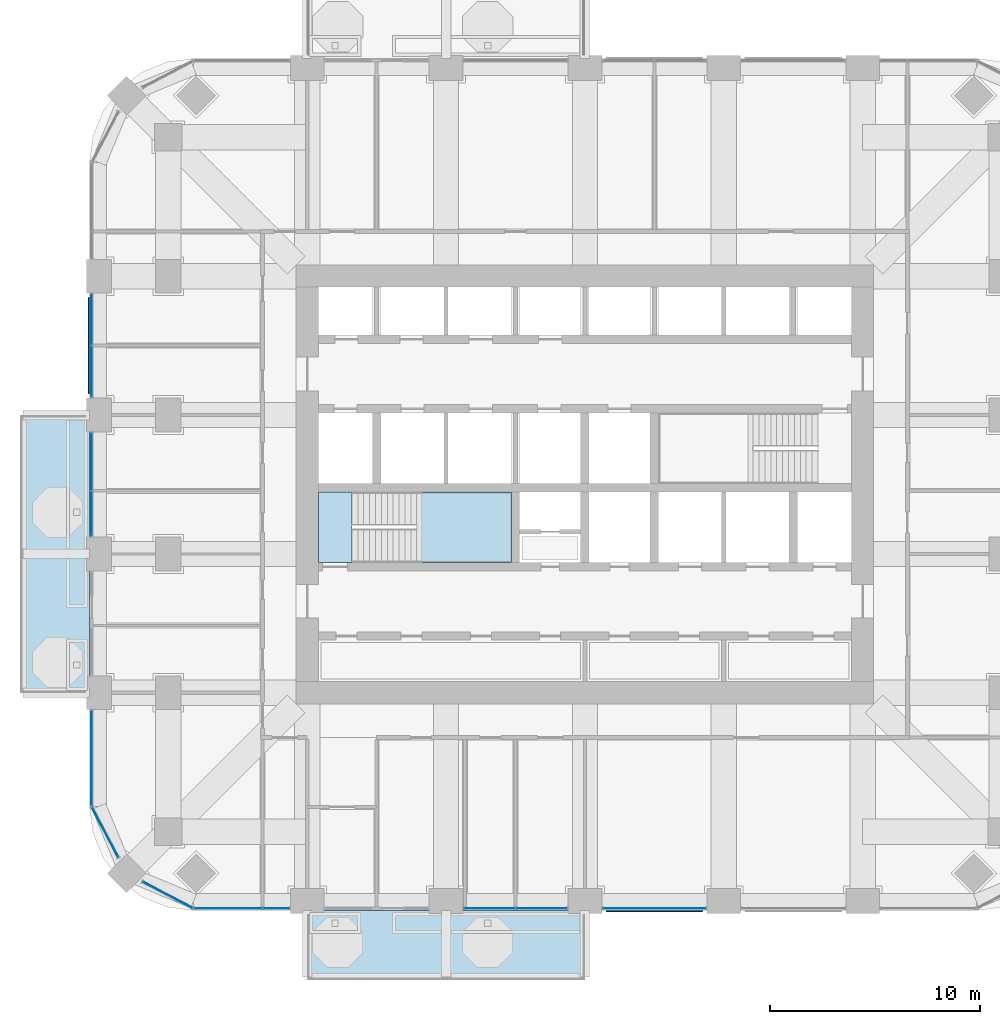
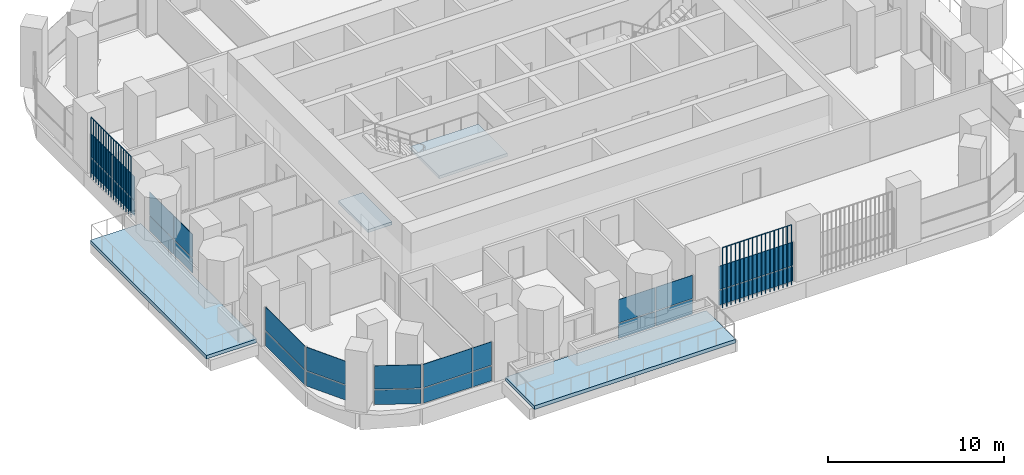
# One storey, part 8 of 19: 26 plates, 4 slabs, 9 elements without a shape of their own.
"""IFC4 building model written with IfcOpenShell, lengths in metres."""

from ifc_helpers import new_model, si_unit, direction, frame, origin, origin_2d, place, context, subcontext, project, spatial, polyline, rectangle, outline, extrude, material, layer, layer_set, type_object, element, aggregate, save


model = new_model("IFC4")

# Units and contexts
model_context = context("Model", 3, precision=1e-05, world=origin(), true_north=direction((0.0, 1.0)))
body_context = subcontext(model_context, "Body", "Model", "MODEL_VIEW")
ifc_project = project(units=[si_unit("LENGTHUNIT", "METRE"), si_unit("AREAUNIT", "SQUARE_METRE"), si_unit("VOLUMEUNIT", "CUBIC_METRE"), si_unit("PLANEANGLEUNIT", "RADIAN"), si_unit("MASSUNIT", "GRAM", prefix="KILO")], contexts=[model_context])

# Site, building, storey
site_placement = place(None, origin())
site = spatial("IfcSite", under=ifc_project, at=site_placement, CompositionType="ELEMENT")
building_placement = place(site_placement, origin())
building = spatial("IfcBuilding", under=site, at=building_placement, Name="Cobogo Forest Laboratory Tower", CompositionType="ELEMENT")
storey_placement = place(building_placement, frame((0.0, 0.0, 159.89990234375)))
storey = spatial("IfcBuildingStorey", under=building, at=storey_placement, Name="L36", CompositionType="ELEMENT", Elevation=159.89990234375)

# Slabs
ifc_material_1 = material(Name="Concrete HA-40 (C40/50)", Category="concrete")
ifc_layer_1 = layer(ifc_material_1, 0.25)
ifc_layer_set_1 = layer_set([ifc_layer_1], Name="Balcony slab 250")
slab_type_1 = type_object("IfcSlabType", Name="Balcony slab 250", PredefinedType="FLOOR", material=ifc_layer_set_1)
slab_1_placement = place(storey_placement, frame((0.0, 0.0, -0.25)))
element("IfcSlab", 1, at=slab_1_placement, inside=storey, type_object=slab_type_1, Name="Balcony BAL-S1 L36", PredefinedType="FLOOR", context=body_context, shape_type="SweptSolid", body=[
    extrude(outline(polyline([(13.199951171875, -0.449951171875), (26.39990234375, -0.449951171875), (26.39990234375, 2.85009765625), (13.199951171875, 2.85009765625), (13.199951171875, -0.449951171875)])), origin(), (0.0, 0.0, 1.0), 0.25),
])
slab_2_placement = place(storey_placement, frame((0.0, 0.0, -0.25)))
element("IfcSlab", 2, at=slab_2_placement, inside=storey, type_object=slab_type_1, Name="Balcony BAL-W1 L36", PredefinedType="FLOOR", context=body_context, shape_type="SweptSolid", body=[
    extrude(outline(polyline([(-0.449951171875, 13.199951171875), (2.85009765625, 13.199951171875), (2.85009765625, 26.39990234375), (-0.449951171875, 26.39990234375), (-0.449951171875, 13.199951171875)])), origin(), (0.0, 0.0, 1.0), 0.25),
])

# Curtain wall, plates
ifc_material_2 = material(Name="Aluminium curtain wall", Category="aluminium")
curtain_wall_type = type_object("IfcCurtainWallType", Name="CW-2 unitised curtain wall, solar control glazing, laboratory floors zones C and D", PredefinedType="USERDEFINED", material=ifc_material_2)
curtain_wall_1_placement = place(storey_placement, origin())
curtain_wall_1 = element("IfcCurtainWall", 3, at=curtain_wall_1_placement, inside=storey, type_object=curtain_wall_type, Name="Curtain wall 01 L36", ObjectType="UNITISED CURTAIN WALL", PredefinedType="USERDEFINED")
ifc_material_3 = material(Name="Solar control insulated glass", Category="glass")
ifc_layer_2 = layer(ifc_material_3, 0.031982421875)
ifc_layer_set_2 = layer_set([ifc_layer_2], Name="GP-2 solar control glass unit 32")
plate_type_1 = type_object("IfcPlateType", Name="GP-2 solar control glass unit 32", PredefinedType="CURTAIN_PANEL", material=ifc_layer_set_2)
plate_1_placement = place(storey_placement, frame((9.452392578125, 2.949951171875, 0.0), z_axis=(0.0, 0.0, 1.0), x_axis=(1.0, 0.0, 0.0)))
plate_1 = element("IfcPlate", 4, at=plate_1_placement, type_object=plate_type_1, Name="CW-2 panel 1.1", PredefinedType="CURTAIN_PANEL", context=body_context, shape_type="SweptSolid", body=[
    extrude(rectangle(XDim=3.18505859375, YDim=0.031982421875, at=origin_2d()), origin(), (0.0, 0.0, 1.0), 1.02001953125),
])
plate_2_placement = place(storey_placement, frame((9.452392578125, 2.949951171875, 1.080078125), z_axis=(0.0, 0.0, 1.0), x_axis=(1.0, 0.0, 0.0)))
plate_2 = element("IfcPlate", 5, at=plate_2_placement, type_object=plate_type_1, Name="CW-2 panel 1.2", PredefinedType="CURTAIN_PANEL", context=body_context, shape_type="SweptSolid", body=[
    extrude(rectangle(XDim=3.18505859375, YDim=0.031982421875, at=origin_2d()), origin(), (0.0, 0.0, 1.0), 1.6201171875),
])
plate_3_placement = place(storey_placement, frame((11.722412109375, 2.949951171875, 0.0), z_axis=(0.0, 0.0, 1.0), x_axis=(1.0, 0.0, 0.0)))
plate_3 = element("IfcPlate", 6, at=plate_3_placement, type_object=plate_type_1, Name="CW-2 panel 2.1", PredefinedType="CURTAIN_PANEL", context=body_context, shape_type="SweptSolid", body=[
    extrude(rectangle(XDim=1.235107421875, YDim=0.031982421875, at=origin_2d()), origin(), (0.0, 0.0, 1.0), 1.02001953125),
])
plate_4_placement = place(storey_placement, frame((11.722412109375, 2.949951171875, 1.080078125), z_axis=(0.0, 0.0, 1.0), x_axis=(1.0, 0.0, 0.0)))
plate_4 = element("IfcPlate", 7, at=plate_4_placement, type_object=plate_type_1, Name="CW-2 panel 2.2", PredefinedType="CURTAIN_PANEL", context=body_context, shape_type="SweptSolid", body=[
    extrude(rectangle(XDim=1.235107421875, YDim=0.031982421875, at=origin_2d()), origin(), (0.0, 0.0, 1.0), 1.6201171875),
])
aggregate(curtain_wall_1, [plate_1, plate_2, plate_3, plate_4])

curtain_wall_2_placement = place(storey_placement, origin())
curtain_wall_2 = element("IfcCurtainWall", 8, at=curtain_wall_2_placement, inside=storey, type_object=curtain_wall_type, Name="Curtain wall 03 L36", ObjectType="UNITISED CURTAIN WALL", PredefinedType="USERDEFINED")
plate_5_placement = place(storey_placement, frame((21.864990234375, 2.949951171875, 0.0), z_axis=(0.0, 0.0, 1.0), x_axis=(1.0, 0.0, 0.0)))
plate_5 = element("IfcPlate", 9, at=plate_5_placement, type_object=plate_type_1, Name="CW-2 panel 1.1", PredefinedType="CURTAIN_PANEL", context=body_context, shape_type="SweptSolid", body=[
    extrude(rectangle(XDim=2.409912109375, YDim=0.031982421875, at=origin_2d()), origin(), (0.0, 0.0, 1.0), 1.02001953125),
])
plate_6_placement = place(storey_placement, frame((21.864990234375, 2.949951171875, 1.080078125), z_axis=(0.0, 0.0, 1.0), x_axis=(1.0, 0.0, 0.0)))
plate_6 = element("IfcPlate", 10, at=plate_6_placement, type_object=plate_type_1, Name="CW-2 panel 1.2", PredefinedType="CURTAIN_PANEL", context=body_context, shape_type="SweptSolid", body=[
    extrude(rectangle(XDim=2.409912109375, YDim=0.031982421875, at=origin_2d()), origin(), (0.0, 0.0, 1.0), 1.6201171875),
])
plate_7_placement = place(storey_placement, frame((24.3349609375, 2.949951171875, 0.0), z_axis=(0.0, 0.0, 1.0), x_axis=(1.0, 0.0, 0.0)))
plate_7 = element("IfcPlate", 11, at=plate_7_placement, type_object=plate_type_1, Name="CW-2 panel 2.1", PredefinedType="CURTAIN_PANEL", context=body_context, shape_type="SweptSolid", body=[
    extrude(rectangle(XDim=2.409912109375, YDim=0.031982421875, at=origin_2d()), origin(), (0.0, 0.0, 1.0), 1.02001953125),
])
plate_8_placement = place(storey_placement, frame((24.3349609375, 2.949951171875, 1.080078125), z_axis=(0.0, 0.0, 1.0), x_axis=(1.0, 0.0, 0.0)))
plate_8 = element("IfcPlate", 12, at=plate_8_placement, type_object=plate_type_1, Name="CW-2 panel 2.2", PredefinedType="CURTAIN_PANEL", context=body_context, shape_type="SweptSolid", body=[
    extrude(rectangle(XDim=2.409912109375, YDim=0.031982421875, at=origin_2d()), origin(), (0.0, 0.0, 1.0), 1.6201171875),
])
aggregate(curtain_wall_2, [plate_5, plate_6, plate_7, plate_8])

curtain_wall_3_placement = place(storey_placement, origin())
curtain_wall_3 = element("IfcCurtainWall", 13, at=curtain_wall_3_placement, inside=storey, type_object=curtain_wall_type, Name="Curtain wall 04 L36", ObjectType="UNITISED CURTAIN WALL", PredefinedType="USERDEFINED")
plate_9_placement = place(storey_placement, frame((29.699951171875, 2.949951171875, 0.0), z_axis=(0.0, 0.0, 1.0), x_axis=(1.0, 0.0, 0.0)))
plate_9 = element("IfcPlate", 14, at=plate_9_placement, type_object=plate_type_1, Name="CW-2 panel 1.1", PredefinedType="CURTAIN_PANEL", context=body_context, shape_type="SweptSolid", body=[
    extrude(rectangle(XDim=4.8798828125, YDim=0.031982421875, at=origin_2d()), origin(), (0.0, 0.0, 1.0), 1.02001953125),
])
plate_10_placement = place(storey_placement, frame((29.699951171875, 2.949951171875, 1.080078125), z_axis=(0.0, 0.0, 1.0), x_axis=(1.0, 0.0, 0.0)))
plate_10 = element("IfcPlate", 15, at=plate_10_placement, type_object=plate_type_1, Name="CW-2 panel 1.2", PredefinedType="CURTAIN_PANEL", context=body_context, shape_type="SweptSolid", body=[
    extrude(rectangle(XDim=4.8798828125, YDim=0.031982421875, at=origin_2d()), origin(), (0.0, 0.0, 1.0), 1.6201171875),
])
aggregate(curtain_wall_3, [plate_9, plate_10])

curtain_wall_4_placement = place(storey_placement, origin())
curtain_wall_4 = element("IfcCurtainWall", 16, at=curtain_wall_4_placement, inside=storey, type_object=curtain_wall_type, Name="Curtain wall 25 L36", ObjectType="UNITISED CURTAIN WALL", PredefinedType="USERDEFINED")
plate_11_placement = place(storey_placement, frame((2.949951171875, 30.93505859375, 0.0), z_axis=(0.0, 0.0, 1.0), x_axis=(0.0, -1.0, 0.0)))
plate_11 = element("IfcPlate", 17, at=plate_11_placement, type_object=plate_type_1, Name="CW-2 panel 1.1", PredefinedType="CURTAIN_PANEL", context=body_context, shape_type="SweptSolid", body=[
    extrude(rectangle(XDim=2.409912109375, YDim=0.031982421875, at=origin_2d()), origin(), (0.0, 0.0, 1.0), 1.02001953125),
])
plate_12_placement = place(storey_placement, frame((2.949951171875, 30.93505859375, 1.080078125), z_axis=(0.0, 0.0, 1.0), x_axis=(0.0, -1.0, 0.0)))
plate_12 = element("IfcPlate", 18, at=plate_12_placement, type_object=plate_type_1, Name="CW-2 panel 1.2", PredefinedType="CURTAIN_PANEL", context=body_context, shape_type="SweptSolid", body=[
    extrude(rectangle(XDim=2.409912109375, YDim=0.031982421875, at=origin_2d()), origin(), (0.0, 0.0, 1.0), 1.6201171875),
])
plate_13_placement = place(storey_placement, frame((2.949951171875, 28.465087890625, 0.0), z_axis=(0.0, 0.0, 1.0), x_axis=(0.0, -1.0, 0.0)))
plate_13 = element("IfcPlate", 19, at=plate_13_placement, type_object=plate_type_1, Name="CW-2 panel 2.1", PredefinedType="CURTAIN_PANEL", context=body_context, shape_type="SweptSolid", body=[
    extrude(rectangle(XDim=2.409912109375, YDim=0.031982421875, at=origin_2d()), origin(), (0.0, 0.0, 1.0), 1.02001953125),
])
plate_14_placement = place(storey_placement, frame((2.949951171875, 28.465087890625, 1.080078125), z_axis=(0.0, 0.0, 1.0), x_axis=(0.0, -1.0, 0.0)))
plate_14 = element("IfcPlate", 20, at=plate_14_placement, type_object=plate_type_1, Name="CW-2 panel 2.2", PredefinedType="CURTAIN_PANEL", context=body_context, shape_type="SweptSolid", body=[
    extrude(rectangle(XDim=2.409912109375, YDim=0.031982421875, at=origin_2d()), origin(), (0.0, 0.0, 1.0), 1.6201171875),
])
aggregate(curtain_wall_4, [plate_11, plate_12, plate_13, plate_14])

curtain_wall_5_placement = place(storey_placement, origin())
curtain_wall_5 = element("IfcCurtainWall", 21, at=curtain_wall_5_placement, inside=storey, type_object=curtain_wall_type, Name="Curtain wall 26 L36", ObjectType="UNITISED CURTAIN WALL", PredefinedType="USERDEFINED")
plate_15_placement = place(storey_placement, frame((2.949951171875, 24.18505859375, 0.0), z_axis=(0.0, 0.0, 1.0), x_axis=(0.0, -1.0, 0.0)))
plate_15 = element("IfcPlate", 22, at=plate_15_placement, type_object=plate_type_1, Name="CW-2 panel 1.1", PredefinedType="CURTAIN_PANEL", context=body_context, shape_type="SweptSolid", body=[
    extrude(rectangle(XDim=2.7099609375, YDim=0.031982421875, at=origin_2d()), origin(), (0.0, 0.0, 1.0), 1.02001953125),
])
plate_16_placement = place(storey_placement, frame((2.949951171875, 24.18505859375, 1.080078125), z_axis=(0.0, 0.0, 1.0), x_axis=(0.0, -1.0, 0.0)))
plate_16 = element("IfcPlate", 23, at=plate_16_placement, type_object=plate_type_1, Name="CW-2 panel 1.2", PredefinedType="CURTAIN_PANEL", context=body_context, shape_type="SweptSolid", body=[
    extrude(rectangle(XDim=2.7099609375, YDim=0.031982421875, at=origin_2d()), origin(), (0.0, 0.0, 1.0), 1.6201171875),
])
plate_17_placement = place(storey_placement, frame((2.949951171875, 21.715087890625, 0.0), z_axis=(0.0, 0.0, 1.0), x_axis=(0.0, -1.0, 0.0)))
plate_17 = element("IfcPlate", 24, at=plate_17_placement, type_object=plate_type_1, Name="CW-2 panel 2.1", PredefinedType="CURTAIN_PANEL", context=body_context, shape_type="SweptSolid", body=[
    extrude(rectangle(XDim=2.110107421875, YDim=0.031982421875, at=origin_2d()), origin(), (0.0, 0.0, 1.0), 1.02001953125),
])
plate_18_placement = place(storey_placement, frame((2.949951171875, 21.715087890625, 1.080078125), z_axis=(0.0, 0.0, 1.0), x_axis=(0.0, -1.0, 0.0)))
plate_18 = element("IfcPlate", 25, at=plate_18_placement, type_object=plate_type_1, Name="CW-2 panel 2.2", PredefinedType="CURTAIN_PANEL", context=body_context, shape_type="SweptSolid", body=[
    extrude(rectangle(XDim=2.110107421875, YDim=0.031982421875, at=origin_2d()), origin(), (0.0, 0.0, 1.0), 1.6201171875),
])
aggregate(curtain_wall_5, [plate_15, plate_16, plate_17, plate_18])

curtain_wall_6_placement = place(storey_placement, origin())
curtain_wall_6 = element("IfcCurtainWall", 26, at=curtain_wall_6_placement, inside=storey, type_object=curtain_wall_type, Name="Curtain wall 28 L36", ObjectType="UNITISED CURTAIN WALL", PredefinedType="USERDEFINED")
plate_19_placement = place(storey_placement, frame((2.949951171875, 10.10009765625, 0.0), z_axis=(0.0, 0.0, 1.0), x_axis=(0.0, -1.0, 0.0)))
plate_19 = element("IfcPlate", 27, at=plate_19_placement, type_object=plate_type_1, Name="CW-2 panel 1.1", PredefinedType="CURTAIN_PANEL", context=body_context, shape_type="SweptSolid", body=[
    extrude(rectangle(XDim=4.47998046875, YDim=0.031982421875, at=origin_2d()), origin(), (0.0, 0.0, 1.0), 1.02001953125),
])
plate_20_placement = place(storey_placement, frame((2.949951171875, 10.10009765625, 1.080078125), z_axis=(0.0, 0.0, 1.0), x_axis=(0.0, -1.0, 0.0)))
plate_20 = element("IfcPlate", 28, at=plate_20_placement, type_object=plate_type_1, Name="CW-2 panel 1.2", PredefinedType="CURTAIN_PANEL", context=body_context, shape_type="SweptSolid", body=[
    extrude(rectangle(XDim=4.47998046875, YDim=0.031982421875, at=origin_2d()), origin(), (0.0, 0.0, 1.0), 1.6201171875),
])
aggregate(curtain_wall_6, [plate_19, plate_20])

curtain_wall_7_placement = place(storey_placement, origin())
curtain_wall_7 = element("IfcCurtainWall", 29, at=curtain_wall_7_placement, inside=storey, type_object=curtain_wall_type, Name="Curtain wall 29 L36", ObjectType="UNITISED CURTAIN WALL", PredefinedType="USERDEFINED")
plate_21_placement = place(storey_placement, frame((3.59423828125, 6.57080078125, 0.0), z_axis=(0.0, 0.0, 1.0), x_axis=(0.464283685186, -0.885686547075, 0.0)))
plate_21 = element("IfcPlate", 30, at=plate_21_placement, type_object=plate_type_1, Name="CW-2 panel 1.1", PredefinedType="CURTAIN_PANEL", context=body_context, shape_type="SweptSolid", body=[
    extrude(rectangle(XDim=2.655517578125, YDim=0.031982421875, at=origin_2d()), origin(), (0.0, 0.0, 1.0), 1.02001953125),
])
plate_22_placement = place(storey_placement, frame((3.59423828125, 6.57080078125, 1.080078125), z_axis=(0.0, 0.0, 1.0), x_axis=(0.464283685186, -0.885686547075, 0.0)))
plate_22 = element("IfcPlate", 31, at=plate_22_placement, type_object=plate_type_1, Name="CW-2 panel 1.2", PredefinedType="CURTAIN_PANEL", context=body_context, shape_type="SweptSolid", body=[
    extrude(rectangle(XDim=2.655517578125, YDim=0.031982421875, at=origin_2d()), origin(), (0.0, 0.0, 1.0), 1.6201171875),
])
aggregate(curtain_wall_7, [plate_21, plate_22])

curtain_wall_8_placement = place(storey_placement, origin())
curtain_wall_8 = element("IfcCurtainWall", 32, at=curtain_wall_8_placement, inside=storey, type_object=curtain_wall_type, Name="Curtain wall 30 L36", ObjectType="UNITISED CURTAIN WALL", PredefinedType="USERDEFINED")
plate_23_placement = place(storey_placement, frame((6.57080078125, 3.59423828125, 0.0), z_axis=(0.0, 0.0, 1.0), x_axis=(0.885686547075, -0.464283685186, 0.0)))
plate_23 = element("IfcPlate", 33, at=plate_23_placement, type_object=plate_type_1, Name="CW-2 panel 1.1", PredefinedType="CURTAIN_PANEL", context=body_context, shape_type="SweptSolid", body=[
    extrude(rectangle(XDim=2.655517578125, YDim=0.031982421875, at=origin_2d()), origin(), (0.0, 0.0, 1.0), 1.02001953125),
])
plate_24_placement = place(storey_placement, frame((6.57080078125, 3.59423828125, 1.080078125), z_axis=(0.0, 0.0, 1.0), x_axis=(0.885686547075, -0.464283685186, 0.0)))
plate_24 = element("IfcPlate", 34, at=plate_24_placement, type_object=plate_type_1, Name="CW-2 panel 1.2", PredefinedType="CURTAIN_PANEL", context=body_context, shape_type="SweptSolid", body=[
    extrude(rectangle(XDim=2.655517578125, YDim=0.031982421875, at=origin_2d()), origin(), (0.0, 0.0, 1.0), 1.6201171875),
])
aggregate(curtain_wall_8, [plate_23, plate_24])

# Stair, slabs
ifc_material_4 = material(Name="Precast concrete HA-40 (C40/50)", Category="concrete")
stair_type = type_object("IfcStairType", Name="ST24 exit stair 24 risers", PredefinedType="HALF_TURN_STAIR", material=ifc_material_4)
stair_placement = place(storey_placement, origin())
stair = element("IfcStair", 35, at=stair_placement, inside=storey, type_object=stair_type, Name="Stair 1 L36 to L37", PredefinedType="HALF_TURN_STAIR")
ifc_layer_3 = layer(ifc_material_1, 0.199951171875)
ifc_layer_set_3 = layer_set([ifc_layer_3], Name="SL stair landing 200")
slab_type_2 = type_object("IfcSlabType", Name="SL stair landing 200", PredefinedType="LANDING", material=ifc_layer_set_3)
slab_3_placement = place(storey_placement, frame((0.0, 0.0, -0.199951171875)))
slab_3 = element("IfcSlab", 36, at=slab_3_placement, type_object=slab_type_2, Name="ST1 landing 1", PredefinedType="LANDING", context=body_context, shape_type="SweptSolid", body=[
    extrude(outline(polyline([(13.72509765625, 19.39990234375), (15.326904296875, 19.39990234375), (15.326904296875, 22.75), (13.72509765625, 22.75), (13.72509765625, 19.39990234375)])), origin(), (0.0, 0.0, 1.0), 0.199951171875),
])
slab_4_placement = place(storey_placement, frame((0.0, 0.0, 1.900146484375)))
slab_4 = element("IfcSlab", 37, at=slab_4_placement, type_object=slab_type_2, Name="ST1 landing 2", PredefinedType="LANDING", context=body_context, shape_type="SweptSolid", body=[
    extrude(outline(polyline([(18.403076171875, 19.39990234375), (22.89990234375, 19.39990234375), (22.89990234375, 22.75), (18.403076171875, 22.75), (18.403076171875, 19.39990234375)])), origin(), (0.0, 0.0, 1.0), 0.199951171875),
])
aggregate(stair, [slab_3, slab_4])

# Plates
ifc_material_5 = material(Name="Terracotta", Category="masonry")
plate_type_2 = type_object("IfcPlateType", Name="TB1 terracotta baguette screen", PredefinedType="USERDEFINED", material=ifc_material_5)
plate_25_placement = place(storey_placement, frame((27.43115234375, 2.822021484375, -0.14990234375)))
element("IfcPlate", 38, at=plate_25_placement, inside=storey, type_object=plate_type_2, Name="Baguette screen S3 L36", ObjectType="BAGUETTE SCREEN", PredefinedType="USERDEFINED", context=body_context, shape_type="SweptSolid", body=[
    extrude(outline(polyline([(0.02880859375, 0.011962890625), (0.011962890625, 0.02880859375), (-0.011962890625, 0.02880859375), (-0.02880859375, 0.011962890625), (-0.02880859375, -0.011962890625), (-0.011962890625, -0.02880859375), (0.011962890625, -0.02880859375), (0.02880859375, -0.011962890625), (0.02880859375, 0.011962890625)])), frame((0.0, 0.0, 4.168701171875), z_axis=(1.0, 0.0, 0.0), x_axis=(0.0, 1.0, 0.0)), (0.0, 0.0, 1.0), 4.53759765625),
    extrude(outline(polyline([(0.02880859375, 0.011962890625), (0.011962890625, 0.02880859375), (-0.011962890625, 0.02880859375), (-0.02880859375, 0.011962890625), (-0.02880859375, -0.011962890625), (-0.011962890625, -0.02880859375), (0.011962890625, -0.02880859375), (0.02880859375, -0.011962890625), (0.02880859375, 0.011962890625)])), origin(), (0.0, 0.0, 1.0), 4.137451171875),
    extrude(outline(polyline([(0.02880859375, 0.011962890625), (0.011962890625, 0.02880859375), (-0.011962890625, 0.02880859375), (-0.02880859375, 0.011962890625), (-0.02880859375, -0.011962890625), (-0.011962890625, -0.02880859375), (0.011962890625, -0.02880859375), (0.02880859375, -0.011962890625), (0.02880859375, 0.011962890625)])), frame((0.28369140625, 0.0, 0.0)), (0.0, 0.0, 1.0), 4.137451171875),
    extrude(outline(polyline([(0.02880859375, 0.011962890625), (0.011962890625, 0.02880859375), (-0.011962890625, 0.02880859375), (-0.02880859375, 0.011962890625), (-0.02880859375, -0.011962890625), (-0.011962890625, -0.02880859375), (0.011962890625, -0.02880859375), (0.02880859375, -0.011962890625), (0.02880859375, 0.011962890625)])), frame((0.567138671875, 0.0, 0.0)), (0.0, 0.0, 1.0), 4.137451171875),
    extrude(outline(polyline([(0.02880859375, 0.011962890625), (0.011962890625, 0.02880859375), (-0.011962890625, 0.02880859375), (-0.02880859375, 0.011962890625), (-0.02880859375, -0.011962890625), (-0.011962890625, -0.02880859375), (0.011962890625, -0.02880859375), (0.02880859375, -0.011962890625), (0.02880859375, 0.011962890625)])), frame((0.850830078125, 0.0, 0.0)), (0.0, 0.0, 1.0), 4.137451171875),
    extrude(outline(polyline([(0.02880859375, 0.011962890625), (0.011962890625, 0.02880859375), (-0.011962890625, 0.02880859375), (-0.02880859375, 0.011962890625), (-0.02880859375, -0.011962890625), (-0.011962890625, -0.02880859375), (0.011962890625, -0.02880859375), (0.02880859375, -0.011962890625), (0.02880859375, 0.011962890625)])), frame((1.13427734375, 0.0, 0.0)), (0.0, 0.0, 1.0), 4.137451171875),
    extrude(outline(polyline([(0.02880859375, 0.011962890625), (0.011962890625, 0.02880859375), (-0.011962890625, 0.02880859375), (-0.02880859375, 0.011962890625), (-0.02880859375, -0.011962890625), (-0.011962890625, -0.02880859375), (0.011962890625, -0.02880859375), (0.02880859375, -0.011962890625), (0.02880859375, 0.011962890625)])), frame((1.41796875, 0.0, 0.0)), (0.0, 0.0, 1.0), 4.137451171875),
    extrude(outline(polyline([(0.02880859375, 0.011962890625), (0.011962890625, 0.02880859375), (-0.011962890625, 0.02880859375), (-0.02880859375, 0.011962890625), (-0.02880859375, -0.011962890625), (-0.011962890625, -0.02880859375), (0.011962890625, -0.02880859375), (0.02880859375, -0.011962890625), (0.02880859375, 0.011962890625)])), frame((1.70166015625, 0.0, 0.0)), (0.0, 0.0, 1.0), 4.137451171875),
    extrude(outline(polyline([(0.02880859375, 0.011962890625), (0.011962890625, 0.02880859375), (-0.011962890625, 0.02880859375), (-0.02880859375, 0.011962890625), (-0.02880859375, -0.011962890625), (-0.011962890625, -0.02880859375), (0.011962890625, -0.02880859375), (0.02880859375, -0.011962890625), (0.02880859375, 0.011962890625)])), frame((1.985107421875, 0.0, 0.0)), (0.0, 0.0, 1.0), 4.137451171875),
    extrude(outline(polyline([(0.02880859375, 0.011962890625), (0.011962890625, 0.02880859375), (-0.011962890625, 0.02880859375), (-0.02880859375, 0.011962890625), (-0.02880859375, -0.011962890625), (-0.011962890625, -0.02880859375), (0.011962890625, -0.02880859375), (0.02880859375, -0.011962890625), (0.02880859375, 0.011962890625)])), frame((2.268798828125, 0.0, 0.0)), (0.0, 0.0, 1.0), 4.137451171875),
    extrude(outline(polyline([(0.02880859375, 0.011962890625), (0.011962890625, 0.02880859375), (-0.011962890625, 0.02880859375), (-0.02880859375, 0.011962890625), (-0.02880859375, -0.011962890625), (-0.011962890625, -0.02880859375), (0.011962890625, -0.02880859375), (0.02880859375, -0.011962890625), (0.02880859375, 0.011962890625)])), frame((2.552490234375, 0.0, 0.0)), (0.0, 0.0, 1.0), 4.137451171875),
    extrude(outline(polyline([(0.02880859375, 0.011962890625), (0.011962890625, 0.02880859375), (-0.011962890625, 0.02880859375), (-0.02880859375, 0.011962890625), (-0.02880859375, -0.011962890625), (-0.011962890625, -0.02880859375), (0.011962890625, -0.02880859375), (0.02880859375, -0.011962890625), (0.02880859375, 0.011962890625)])), frame((2.8359375, 0.0, 0.0)), (0.0, 0.0, 1.0), 4.137451171875),
    extrude(outline(polyline([(0.02880859375, 0.011962890625), (0.011962890625, 0.02880859375), (-0.011962890625, 0.02880859375), (-0.02880859375, 0.011962890625), (-0.02880859375, -0.011962890625), (-0.011962890625, -0.02880859375), (0.011962890625, -0.02880859375), (0.02880859375, -0.011962890625), (0.02880859375, 0.011962890625)])), frame((3.11962890625, 0.0, 0.0)), (0.0, 0.0, 1.0), 4.137451171875),
    extrude(outline(polyline([(0.02880859375, 0.011962890625), (0.011962890625, 0.02880859375), (-0.011962890625, 0.02880859375), (-0.02880859375, 0.011962890625), (-0.02880859375, -0.011962890625), (-0.011962890625, -0.02880859375), (0.011962890625, -0.02880859375), (0.02880859375, -0.011962890625), (0.02880859375, 0.011962890625)])), frame((3.4033203125, 0.0, 0.0)), (0.0, 0.0, 1.0), 4.137451171875),
    extrude(outline(polyline([(0.02880859375, 0.011962890625), (0.011962890625, 0.02880859375), (-0.011962890625, 0.02880859375), (-0.02880859375, 0.011962890625), (-0.02880859375, -0.011962890625), (-0.011962890625, -0.02880859375), (0.011962890625, -0.02880859375), (0.02880859375, -0.011962890625), (0.02880859375, 0.011962890625)])), frame((3.686767578125, 0.0, 0.0)), (0.0, 0.0, 1.0), 4.137451171875),
    extrude(outline(polyline([(0.02880859375, 0.011962890625), (0.011962890625, 0.02880859375), (-0.011962890625, 0.02880859375), (-0.02880859375, 0.011962890625), (-0.02880859375, -0.011962890625), (-0.011962890625, -0.02880859375), (0.011962890625, -0.02880859375), (0.02880859375, -0.011962890625), (0.02880859375, 0.011962890625)])), frame((3.970458984375, 0.0, 0.0)), (0.0, 0.0, 1.0), 4.137451171875),
    extrude(outline(polyline([(0.02880859375, 0.011962890625), (0.011962890625, 0.02880859375), (-0.011962890625, 0.02880859375), (-0.02880859375, 0.011962890625), (-0.02880859375, -0.011962890625), (-0.011962890625, -0.02880859375), (0.011962890625, -0.02880859375), (0.02880859375, -0.011962890625), (0.02880859375, 0.011962890625)])), frame((4.25390625, 0.0, 0.0)), (0.0, 0.0, 1.0), 4.137451171875),
    extrude(outline(polyline([(0.02880859375, 0.011962890625), (0.011962890625, 0.02880859375), (-0.011962890625, 0.02880859375), (-0.02880859375, 0.011962890625), (-0.02880859375, -0.011962890625), (-0.011962890625, -0.02880859375), (0.011962890625, -0.02880859375), (0.02880859375, -0.011962890625), (0.02880859375, 0.011962890625)])), frame((4.53759765625, 0.0, 0.0)), (0.0, 0.0, 1.0), 4.137451171875),
])
plate_26_placement = place(storey_placement, frame((2.822021484375, 27.43115234375, -0.14990234375)))
element("IfcPlate", 39, at=plate_26_placement, inside=storey, type_object=plate_type_2, Name="Baguette screen W3 L36", ObjectType="BAGUETTE SCREEN", PredefinedType="USERDEFINED", context=body_context, shape_type="SweptSolid", body=[
    extrude(outline(polyline([(0.02880859375, 0.011962890625), (0.011962890625, 0.02880859375), (-0.011962890625, 0.02880859375), (-0.02880859375, 0.011962890625), (-0.02880859375, -0.011962890625), (-0.011962890625, -0.02880859375), (0.011962890625, -0.02880859375), (0.02880859375, -0.011962890625), (0.02880859375, 0.011962890625)])), frame((0.0, 0.0, 4.168701171875), z_axis=(0.0, 1.0, 0.0), x_axis=(-1.0, 0.0, 0.0)), (0.0, 0.0, 1.0), 4.53759765625),
    extrude(outline(polyline([(0.02880859375, 0.011962890625), (0.011962890625, 0.02880859375), (-0.011962890625, 0.02880859375), (-0.02880859375, 0.011962890625), (-0.02880859375, -0.011962890625), (-0.011962890625, -0.02880859375), (0.011962890625, -0.02880859375), (0.02880859375, -0.011962890625), (0.02880859375, 0.011962890625)])), origin(), (0.0, 0.0, 1.0), 4.137451171875),
    extrude(outline(polyline([(0.02880859375, 0.011962890625), (0.011962890625, 0.02880859375), (-0.011962890625, 0.02880859375), (-0.02880859375, 0.011962890625), (-0.02880859375, -0.011962890625), (-0.011962890625, -0.02880859375), (0.011962890625, -0.02880859375), (0.02880859375, -0.011962890625), (0.02880859375, 0.011962890625)])), frame((0.0, 0.28369140625, 0.0)), (0.0, 0.0, 1.0), 4.137451171875),
    extrude(outline(polyline([(0.02880859375, 0.011962890625), (0.011962890625, 0.02880859375), (-0.011962890625, 0.02880859375), (-0.02880859375, 0.011962890625), (-0.02880859375, -0.011962890625), (-0.011962890625, -0.02880859375), (0.011962890625, -0.02880859375), (0.02880859375, -0.011962890625), (0.02880859375, 0.011962890625)])), frame((0.0, 0.567138671875, 0.0)), (0.0, 0.0, 1.0), 4.137451171875),
    extrude(outline(polyline([(0.02880859375, 0.011962890625), (0.011962890625, 0.02880859375), (-0.011962890625, 0.02880859375), (-0.02880859375, 0.011962890625), (-0.02880859375, -0.011962890625), (-0.011962890625, -0.02880859375), (0.011962890625, -0.02880859375), (0.02880859375, -0.011962890625), (0.02880859375, 0.011962890625)])), frame((0.0, 0.850830078125, 0.0)), (0.0, 0.0, 1.0), 4.137451171875),
    extrude(outline(polyline([(0.02880859375, 0.011962890625), (0.011962890625, 0.02880859375), (-0.011962890625, 0.02880859375), (-0.02880859375, 0.011962890625), (-0.02880859375, -0.011962890625), (-0.011962890625, -0.02880859375), (0.011962890625, -0.02880859375), (0.02880859375, -0.011962890625), (0.02880859375, 0.011962890625)])), frame((0.0, 1.13427734375, 0.0)), (0.0, 0.0, 1.0), 4.137451171875),
    extrude(outline(polyline([(0.02880859375, 0.011962890625), (0.011962890625, 0.02880859375), (-0.011962890625, 0.02880859375), (-0.02880859375, 0.011962890625), (-0.02880859375, -0.011962890625), (-0.011962890625, -0.02880859375), (0.011962890625, -0.02880859375), (0.02880859375, -0.011962890625), (0.02880859375, 0.011962890625)])), frame((0.0, 1.41796875, 0.0)), (0.0, 0.0, 1.0), 4.137451171875),
    extrude(outline(polyline([(0.02880859375, 0.011962890625), (0.011962890625, 0.02880859375), (-0.011962890625, 0.02880859375), (-0.02880859375, 0.011962890625), (-0.02880859375, -0.011962890625), (-0.011962890625, -0.02880859375), (0.011962890625, -0.02880859375), (0.02880859375, -0.011962890625), (0.02880859375, 0.011962890625)])), frame((0.0, 1.70166015625, 0.0)), (0.0, 0.0, 1.0), 4.137451171875),
    extrude(outline(polyline([(0.02880859375, 0.011962890625), (0.011962890625, 0.02880859375), (-0.011962890625, 0.02880859375), (-0.02880859375, 0.011962890625), (-0.02880859375, -0.011962890625), (-0.011962890625, -0.02880859375), (0.011962890625, -0.02880859375), (0.02880859375, -0.011962890625), (0.02880859375, 0.011962890625)])), frame((0.0, 1.985107421875, 0.0)), (0.0, 0.0, 1.0), 4.137451171875),
    extrude(outline(polyline([(0.02880859375, 0.011962890625), (0.011962890625, 0.02880859375), (-0.011962890625, 0.02880859375), (-0.02880859375, 0.011962890625), (-0.02880859375, -0.011962890625), (-0.011962890625, -0.02880859375), (0.011962890625, -0.02880859375), (0.02880859375, -0.011962890625), (0.02880859375, 0.011962890625)])), frame((0.0, 2.268798828125, 0.0)), (0.0, 0.0, 1.0), 4.137451171875),
    extrude(outline(polyline([(0.02880859375, 0.011962890625), (0.011962890625, 0.02880859375), (-0.011962890625, 0.02880859375), (-0.02880859375, 0.011962890625), (-0.02880859375, -0.011962890625), (-0.011962890625, -0.02880859375), (0.011962890625, -0.02880859375), (0.02880859375, -0.011962890625), (0.02880859375, 0.011962890625)])), frame((0.0, 2.552490234375, 0.0)), (0.0, 0.0, 1.0), 4.137451171875),
    extrude(outline(polyline([(0.02880859375, 0.011962890625), (0.011962890625, 0.02880859375), (-0.011962890625, 0.02880859375), (-0.02880859375, 0.011962890625), (-0.02880859375, -0.011962890625), (-0.011962890625, -0.02880859375), (0.011962890625, -0.02880859375), (0.02880859375, -0.011962890625), (0.02880859375, 0.011962890625)])), frame((0.0, 2.8359375, 0.0)), (0.0, 0.0, 1.0), 4.137451171875),
    extrude(outline(polyline([(0.02880859375, 0.011962890625), (0.011962890625, 0.02880859375), (-0.011962890625, 0.02880859375), (-0.02880859375, 0.011962890625), (-0.02880859375, -0.011962890625), (-0.011962890625, -0.02880859375), (0.011962890625, -0.02880859375), (0.02880859375, -0.011962890625), (0.02880859375, 0.011962890625)])), frame((0.0, 3.11962890625, 0.0)), (0.0, 0.0, 1.0), 4.137451171875),
    extrude(outline(polyline([(0.02880859375, 0.011962890625), (0.011962890625, 0.02880859375), (-0.011962890625, 0.02880859375), (-0.02880859375, 0.011962890625), (-0.02880859375, -0.011962890625), (-0.011962890625, -0.02880859375), (0.011962890625, -0.02880859375), (0.02880859375, -0.011962890625), (0.02880859375, 0.011962890625)])), frame((0.0, 3.4033203125, 0.0)), (0.0, 0.0, 1.0), 4.137451171875),
    extrude(outline(polyline([(0.02880859375, 0.011962890625), (0.011962890625, 0.02880859375), (-0.011962890625, 0.02880859375), (-0.02880859375, 0.011962890625), (-0.02880859375, -0.011962890625), (-0.011962890625, -0.02880859375), (0.011962890625, -0.02880859375), (0.02880859375, -0.011962890625), (0.02880859375, 0.011962890625)])), frame((0.0, 3.686767578125, 0.0)), (0.0, 0.0, 1.0), 4.137451171875),
    extrude(outline(polyline([(0.02880859375, 0.011962890625), (0.011962890625, 0.02880859375), (-0.011962890625, 0.02880859375), (-0.02880859375, 0.011962890625), (-0.02880859375, -0.011962890625), (-0.011962890625, -0.02880859375), (0.011962890625, -0.02880859375), (0.02880859375, -0.011962890625), (0.02880859375, 0.011962890625)])), frame((0.0, 3.970458984375, 0.0)), (0.0, 0.0, 1.0), 4.137451171875),
    extrude(outline(polyline([(0.02880859375, 0.011962890625), (0.011962890625, 0.02880859375), (-0.011962890625, 0.02880859375), (-0.02880859375, 0.011962890625), (-0.02880859375, -0.011962890625), (-0.011962890625, -0.02880859375), (0.011962890625, -0.02880859375), (0.02880859375, -0.011962890625), (0.02880859375, 0.011962890625)])), frame((0.0, 4.25390625, 0.0)), (0.0, 0.0, 1.0), 4.137451171875),
    extrude(outline(polyline([(0.02880859375, 0.011962890625), (0.011962890625, 0.02880859375), (-0.011962890625, 0.02880859375), (-0.02880859375, 0.011962890625), (-0.02880859375, -0.011962890625), (-0.011962890625, -0.02880859375), (0.011962890625, -0.02880859375), (0.02880859375, -0.011962890625), (0.02880859375, 0.011962890625)])), frame((0.0, 4.53759765625, 0.0)), (0.0, 0.0, 1.0), 4.137451171875),
])

save(model, "model.ifc")
